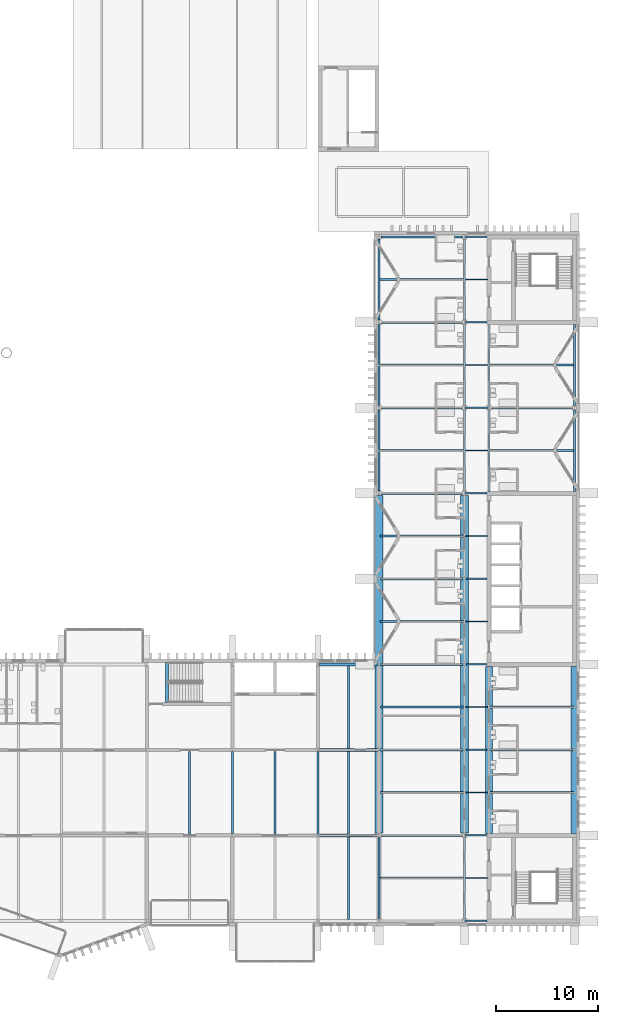
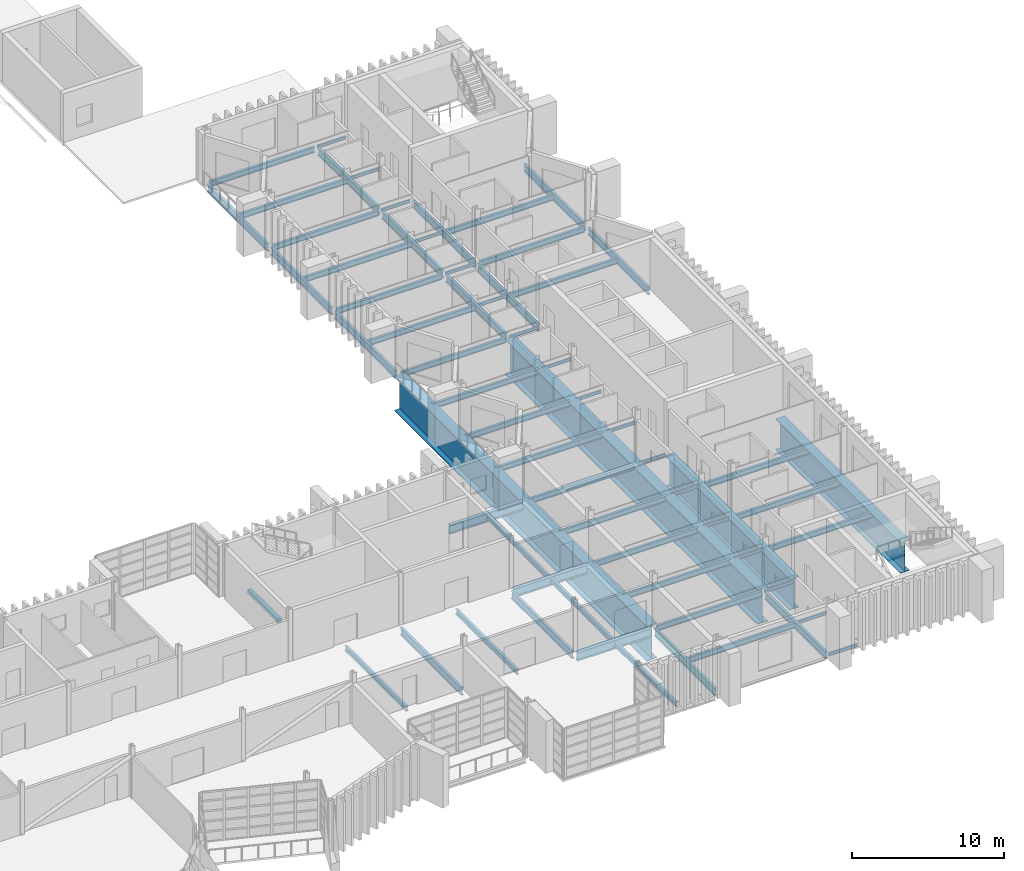
# One storey, part 41 of 100: 66 beams.
"""IFC4 building model written with IfcOpenShell, lengths in metres."""

from ifc_helpers import new_model, si_unit, direction, frame, origin, origin_2d, place, context, subcontext, project, spatial, rectangle, i_section, extrude, material, material_profile, profile_set, type_object, element, save


model = new_model("IFC4")

# Units and contexts
model_context = context("Model", 3, precision=1e-05, world=origin(), true_north=direction((0.0, 1.0)))
body_context = subcontext(model_context, "Body", "Model", "MODEL_VIEW")
ifc_project = project(units=[si_unit("LENGTHUNIT", "METRE"), si_unit("AREAUNIT", "SQUARE_METRE"), si_unit("VOLUMEUNIT", "CUBIC_METRE"), si_unit("PLANEANGLEUNIT", "RADIAN"), si_unit("MASSUNIT", "GRAM", prefix="KILO")], contexts=[model_context])

# Site, building, storey
site_placement = place(None, origin())
site = spatial("IfcSite", under=ifc_project, at=site_placement, CompositionType="ELEMENT")
building_placement = place(site_placement, origin())
building = spatial("IfcBuilding", under=site, at=building_placement, Name="Cresset Court Congress Hotel", CompositionType="ELEMENT")
storey_placement = place(building_placement, frame((0.0, 0.0, 10.199951171875)))
storey = spatial("IfcBuildingStorey", under=building, at=storey_placement, Name="L02", CompositionType="ELEMENT", Elevation=10.199951171875)

# Beams
ifc_material_1 = material(Name="Concrete C40", Category="concrete")
ifc_material_profile_1 = material_profile(ifc_material_1, rectangle(XDim=0.300048828125, YDim=0.300048828125, at=origin_2d()), Name="RC300x300")
ifc_profile_set_1 = profile_set([ifc_material_profile_1], Name="Concrete C40")
beam_type_1 = type_object("IfcBeamType", Name="Stair trimmer beam RC300x300", PredefinedType="BEAM", material=ifc_profile_set_1)
beam_1_placement = place(storey_placement, frame((136.35009765625, 21.449951171875, -0.300048828125), z_axis=(0.0, 1.0, 0.0), x_axis=(-1.0, 0.0, 0.0)))
element("IfcBeam", 1, at=beam_1_placement, inside=storey, type_object=beam_type_1, Name="Trimmer beam ST-B5 L02", PredefinedType="BEAM", context=body_context, shape_type="SweptSolid", body=[
    extrude(rectangle(XDim=0.300048828125, YDim=0.300048828125, at=origin_2d()), origin(), (0.0, 0.0, 1.0), 3.949951171875),
])
ifc_material_2 = material(Name="Structural steel Q355B", Category="steel")
ifc_material_profile_2 = material_profile(ifc_material_2, i_section(OverallWidth=0.198974609375, OverallDepth=0.446044921875, WebThickness=0.008056640625, FlangeThickness=0.011962890625, FilletRadius=0.012939453125, at=origin_2d()), Name="HN446x199x8x12")
ifc_profile_set_2 = profile_set([ifc_material_profile_2], Name="Structural steel Q355B")
beam_type_2 = type_object("IfcBeamType", Name="Steel beam HN446x199x8x12", PredefinedType="BEAM", material=ifc_profile_set_2)
beam_2_placement = place(storey_placement, frame((157.300048828125, 4.199951171875, -0.373046875), z_axis=(1.0, 0.0, 0.0), x_axis=(0.0, 1.0, 0.0)))
element("IfcBeam", 2, at=beam_2_placement, inside=storey, type_object=beam_type_2, Name="A.bm.L02.W.mid.0", PredefinedType="BEAM", context=body_context, shape_type="SweptSolid", body=[
    extrude(i_section(OverallWidth=0.198974609375, OverallDepth=0.446044921875, WebThickness=0.008056640625, FlangeThickness=0.011962890625, FilletRadius=0.012939453125, at=origin_2d()), origin(), (0.0, 0.0, 1.0), 8.199951171875),
])
beam_3_placement = place(storey_placement, frame((157.403564453125, 8.39990234375, -0.373046875), z_axis=(1.0, 0.0, 0.0), x_axis=(0.0, 1.0, 0.0)))
element("IfcBeam", 3, at=beam_3_placement, inside=storey, type_object=beam_type_2, Name="A.bm.L02.W.frame0.1", PredefinedType="BEAM", context=body_context, shape_type="SweptSolid", body=[
    extrude(i_section(OverallWidth=0.198974609375, OverallDepth=0.446044921875, WebThickness=0.008056640625, FlangeThickness=0.011962890625, FilletRadius=0.012939453125, at=origin_2d()), origin(), (0.0, 0.0, 1.0), 7.992919921875),
])
for number, where, z_axis, x_axis, name in (
    (4, (157.300048828125, 12.60009765625, -0.373046875), (1.0, 0.0, 0.0), (0.0, 1.0, 0.0), "A.bm.L02.W.mid.1"),
    (5, (168.10009765625, 12.60009765625, -0.373046875), (1.0, 0.0, 0.0), (0.0, 1.0, 0.0), "A.bm.L02.E.mid.1"),
):
    element("IfcBeam", number, at=place(storey_placement, frame(where, z_axis=z_axis, x_axis=x_axis)), inside=storey, type_object=beam_type_2, Name=name, PredefinedType="BEAM", context=body_context, shape_type="SweptSolid", body=[
        extrude(i_section(OverallWidth=0.198974609375, OverallDepth=0.446044921875, WebThickness=0.008056640625, FlangeThickness=0.011962890625, FilletRadius=0.012939453125, at=origin_2d()), origin(), (0.0, 0.0, 1.0), 8.199951171875),
    ])
for number, where, z_axis, x_axis, name in (
    (6, (157.403564453125, 16.800048828125, -0.373046875), (1.0, 0.0, 0.0), (0.0, 1.0, 0.0), "A.bm.L02.W.frame0.2"),
    (7, (168.20361328125, 16.800048828125, -0.373046875), (1.0, 0.0, 0.0), (0.0, 1.0, 0.0), "A.bm.L02.E.frame0.2"),
):
    element("IfcBeam", number, at=place(storey_placement, frame(where, z_axis=z_axis, x_axis=x_axis)), inside=storey, type_object=beam_type_2, Name=name, PredefinedType="BEAM", context=body_context, shape_type="SweptSolid", body=[
        extrude(i_section(OverallWidth=0.198974609375, OverallDepth=0.446044921875, WebThickness=0.008056640625, FlangeThickness=0.011962890625, FilletRadius=0.012939453125, at=origin_2d()), origin(), (0.0, 0.0, 1.0), 7.992919921875),
    ])
for number, where, z_axis, x_axis, name in (
    (8, (157.300048828125, 21.0, -0.373046875), (1.0, 0.0, 0.0), (0.0, 1.0, 0.0), "A.bm.L02.W.mid.2"),
    (9, (168.10009765625, 21.0, -0.373046875), (1.0, 0.0, 0.0), (0.0, 1.0, 0.0), "A.bm.L02.E.mid.2"),
):
    element("IfcBeam", number, at=place(storey_placement, frame(where, z_axis=z_axis, x_axis=x_axis)), inside=storey, type_object=beam_type_2, Name=name, PredefinedType="BEAM", context=body_context, shape_type="SweptSolid", body=[
        extrude(i_section(OverallWidth=0.198974609375, OverallDepth=0.446044921875, WebThickness=0.008056640625, FlangeThickness=0.011962890625, FilletRadius=0.012939453125, at=origin_2d()), origin(), (0.0, 0.0, 1.0), 8.199951171875),
    ])
beam_4_placement = place(storey_placement, frame((157.403564453125, 25.199951171875, -0.373046875), z_axis=(1.0, 0.0, 0.0), x_axis=(0.0, 1.0, 0.0)))
element("IfcBeam", 10, at=beam_4_placement, inside=storey, type_object=beam_type_2, Name="A.bm.L02.W.frame0.3", PredefinedType="BEAM", context=body_context, shape_type="SweptSolid", body=[
    extrude(i_section(OverallWidth=0.198974609375, OverallDepth=0.446044921875, WebThickness=0.008056640625, FlangeThickness=0.011962890625, FilletRadius=0.012939453125, at=origin_2d()), origin(), (0.0, 0.0, 1.0), 7.992919921875),
])
beam_5_placement = place(storey_placement, frame((157.300048828125, 29.39990234375, -0.373046875), z_axis=(1.0, 0.0, 0.0), x_axis=(0.0, 1.0, 0.0)))
element("IfcBeam", 11, at=beam_5_placement, inside=storey, type_object=beam_type_2, Name="A.bm.L02.W.mid.3", PredefinedType="BEAM", context=body_context, shape_type="SweptSolid", body=[
    extrude(i_section(OverallWidth=0.198974609375, OverallDepth=0.446044921875, WebThickness=0.008056640625, FlangeThickness=0.011962890625, FilletRadius=0.012939453125, at=origin_2d()), origin(), (0.0, 0.0, 1.0), 8.199951171875),
])
beam_6_placement = place(storey_placement, frame((157.403564453125, 33.60009765625, -0.373046875), z_axis=(1.0, 0.0, 0.0), x_axis=(0.0, 1.0, 0.0)))
element("IfcBeam", 12, at=beam_6_placement, inside=storey, type_object=beam_type_2, Name="A.bm.L02.W.frame0.4", PredefinedType="BEAM", context=body_context, shape_type="SweptSolid", body=[
    extrude(i_section(OverallWidth=0.198974609375, OverallDepth=0.446044921875, WebThickness=0.008056640625, FlangeThickness=0.011962890625, FilletRadius=0.012939453125, at=origin_2d()), origin(), (0.0, 0.0, 1.0), 7.992919921875),
])
beam_7_placement = place(storey_placement, frame((157.300048828125, 37.800048828125, -0.373046875), z_axis=(1.0, 0.0, 0.0), x_axis=(0.0, 1.0, 0.0)))
element("IfcBeam", 13, at=beam_7_placement, inside=storey, type_object=beam_type_2, Name="A.bm.L02.W.mid.4", PredefinedType="BEAM", context=body_context, shape_type="SweptSolid", body=[
    extrude(i_section(OverallWidth=0.198974609375, OverallDepth=0.446044921875, WebThickness=0.008056640625, FlangeThickness=0.011962890625, FilletRadius=0.012939453125, at=origin_2d()), origin(), (0.0, 0.0, 1.0), 8.199951171875),
])
beam_8_placement = place(storey_placement, frame((157.403564453125, 42.0, -0.373046875), z_axis=(1.0, 0.0, 0.0), x_axis=(0.0, 1.0, 0.0)))
element("IfcBeam", 14, at=beam_8_placement, inside=storey, type_object=beam_type_2, Name="A.bm.L02.W.frame0.5", PredefinedType="BEAM", context=body_context, shape_type="SweptSolid", body=[
    extrude(i_section(OverallWidth=0.198974609375, OverallDepth=0.446044921875, WebThickness=0.008056640625, FlangeThickness=0.011962890625, FilletRadius=0.012939453125, at=origin_2d()), origin(), (0.0, 0.0, 1.0), 7.992919921875),
])
for number, where, z_axis, x_axis, name in (
    (15, (157.300048828125, 46.199951171875, -0.373046875), (1.0, 0.0, 0.0), (0.0, 1.0, 0.0), "A.bm.L02.W.mid.5"),
    (16, (168.10009765625, 46.199951171875, -0.373046875), (1.0, 0.0, 0.0), (0.0, 1.0, 0.0), "A.bm.L02.E.mid.5"),
):
    element("IfcBeam", number, at=place(storey_placement, frame(where, z_axis=z_axis, x_axis=x_axis)), inside=storey, type_object=beam_type_2, Name=name, PredefinedType="BEAM", context=body_context, shape_type="SweptSolid", body=[
        extrude(i_section(OverallWidth=0.198974609375, OverallDepth=0.446044921875, WebThickness=0.008056640625, FlangeThickness=0.011962890625, FilletRadius=0.012939453125, at=origin_2d()), origin(), (0.0, 0.0, 1.0), 8.199951171875),
    ])
for number, where, z_axis, x_axis, name in (
    (17, (157.403564453125, 50.39990234375, -0.373046875), (1.0, 0.0, 0.0), (0.0, 1.0, 0.0), "A.bm.L02.W.frame0.6"),
    (18, (168.20361328125, 50.39990234375, -0.373046875), (1.0, 0.0, 0.0), (0.0, 1.0, 0.0), "A.bm.L02.E.frame0.6"),
):
    element("IfcBeam", number, at=place(storey_placement, frame(where, z_axis=z_axis, x_axis=x_axis)), inside=storey, type_object=beam_type_2, Name=name, PredefinedType="BEAM", context=body_context, shape_type="SweptSolid", body=[
        extrude(i_section(OverallWidth=0.198974609375, OverallDepth=0.446044921875, WebThickness=0.008056640625, FlangeThickness=0.011962890625, FilletRadius=0.012939453125, at=origin_2d()), origin(), (0.0, 0.0, 1.0), 7.992919921875),
    ])
for number, where, z_axis, x_axis, name in (
    (19, (157.300048828125, 54.60009765625, -0.373046875), (1.0, 0.0, 0.0), (0.0, 1.0, 0.0), "A.bm.L02.W.mid.6"),
    (20, (168.10009765625, 54.60009765625, -0.373046875), (1.0, 0.0, 0.0), (0.0, 1.0, 0.0), "A.bm.L02.E.mid.6"),
):
    element("IfcBeam", number, at=place(storey_placement, frame(where, z_axis=z_axis, x_axis=x_axis)), inside=storey, type_object=beam_type_2, Name=name, PredefinedType="BEAM", context=body_context, shape_type="SweptSolid", body=[
        extrude(i_section(OverallWidth=0.198974609375, OverallDepth=0.446044921875, WebThickness=0.008056640625, FlangeThickness=0.011962890625, FilletRadius=0.012939453125, at=origin_2d()), origin(), (0.0, 0.0, 1.0), 8.199951171875),
    ])
beam_9_placement = place(storey_placement, frame((157.403564453125, 58.800048828125, -0.373046875), z_axis=(1.0, 0.0, 0.0), x_axis=(0.0, 1.0, 0.0)))
element("IfcBeam", 21, at=beam_9_placement, inside=storey, type_object=beam_type_2, Name="A.bm.L02.W.frame0.7", PredefinedType="BEAM", context=body_context, shape_type="SweptSolid", body=[
    extrude(i_section(OverallWidth=0.198974609375, OverallDepth=0.446044921875, WebThickness=0.008056640625, FlangeThickness=0.011962890625, FilletRadius=0.012939453125, at=origin_2d()), origin(), (0.0, 0.0, 1.0), 7.992919921875),
])
beam_10_placement = place(storey_placement, frame((157.300048828125, 63.0, -0.373046875), z_axis=(1.0, 0.0, 0.0), x_axis=(0.0, 1.0, 0.0)))
element("IfcBeam", 22, at=beam_10_placement, inside=storey, type_object=beam_type_2, Name="A.bm.L02.W.mid.7", PredefinedType="BEAM", context=body_context, shape_type="SweptSolid", body=[
    extrude(i_section(OverallWidth=0.198974609375, OverallDepth=0.446044921875, WebThickness=0.008056640625, FlangeThickness=0.011962890625, FilletRadius=0.012939453125, at=origin_2d()), origin(), (0.0, 0.0, 1.0), 8.199951171875),
])
beam_11_placement = place(storey_placement, frame((157.403564453125, 67.199951171875, -0.373046875), z_axis=(1.0, 0.0, 0.0), x_axis=(0.0, 1.0, 0.0)))
element("IfcBeam", 23, at=beam_11_placement, inside=storey, type_object=beam_type_2, Name="A.bm.L02.W.frame1.7", PredefinedType="BEAM", context=body_context, shape_type="SweptSolid", body=[
    extrude(i_section(OverallWidth=0.198974609375, OverallDepth=0.446044921875, WebThickness=0.008056640625, FlangeThickness=0.011962890625, FilletRadius=0.012939453125, at=origin_2d()), origin(), (0.0, 0.0, 1.0), 7.992919921875),
])
ifc_material_3 = material(Name="Structural steel Q355B", Category="steel")
ifc_material_profile_3 = material_profile(ifc_material_3, i_section(OverallWidth=0.199951171875, OverallDepth=0.60009765625, WebThickness=0.010986328125, FlangeThickness=0.01708984375, FilletRadius=0.012939453125, at=origin_2d()), Name="HN600x200x11x17")
ifc_profile_set_3 = profile_set([ifc_material_profile_3], Name="Structural steel Q355B")
beam_type_3 = type_object("IfcBeamType", Name="Steel beam HN600x200x11x17", PredefinedType="BEAM", material=ifc_profile_set_3)
for number, where, z_axis, x_axis, name in (
    (24, (142.800048828125, 8.574951171875, -0.449951171875), (0.0, 1.0, 0.0), (-1.0, 0.0, 0.0), "B.by.L02.18B"),
    (25, (151.199951171875, 8.574951171875, -0.449951171875), (0.0, 1.0, 0.0), (-1.0, 0.0, 0.0), "B.by.L02.19B"),
):
    element("IfcBeam", number, at=place(storey_placement, frame(where, z_axis=z_axis, x_axis=x_axis)), inside=storey, type_object=beam_type_3, Name=name, PredefinedType="BEAM", context=body_context, shape_type="SweptSolid", body=[
        extrude(i_section(OverallWidth=0.199951171875, OverallDepth=0.60009765625, WebThickness=0.010986328125, FlangeThickness=0.01708984375, FilletRadius=0.012939453125, at=origin_2d()), origin(), (0.0, 0.0, 1.0), 8.050048828125),
    ])
ifc_material_4 = material(Name="Structural steel Q355B", Category="steel")
ifc_material_profile_4 = material_profile(ifc_material_4, i_section(OverallWidth=0.300048828125, OverallDepth=0.699951171875, WebThickness=0.012939453125, FlangeThickness=0.02392578125, FilletRadius=0.01806640625, at=origin_2d()), Name="HN700x300x13x24")
ifc_profile_set_4 = profile_set([ifc_material_profile_4], Name="Structural steel Q355B")
beam_type_4 = type_object("IfcBeamType", Name="Steel beam HN700x300x13x24", PredefinedType="BEAM", material=ifc_profile_set_4)
for number, where, z_axis, x_axis, name in (
    (26, (151.375, 8.39990234375, -0.5), (1.0, 0.0, 0.0), (0.0, 1.0, 0.0), "B.bx.L02.B19"),
    (27, (151.375, 16.800048828125, -0.5), (1.0, 0.0, 0.0), (0.0, 1.0, 0.0), "B.bx.L02.C19"),
    (28, (151.375, 25.199951171875, -0.5), (1.0, 0.0, 0.0), (0.0, 1.0, 0.0), "B.bx.L02.D19"),
):
    element("IfcBeam", number, at=place(storey_placement, frame(where, z_axis=z_axis, x_axis=x_axis)), inside=storey, type_object=beam_type_4, Name=name, PredefinedType="BEAM", context=body_context, shape_type="SweptSolid", body=[
        extrude(i_section(OverallWidth=0.300048828125, OverallDepth=0.699951171875, WebThickness=0.012939453125, FlangeThickness=0.02392578125, FilletRadius=0.01806640625, at=origin_2d()), origin(), (0.0, 0.0, 1.0), 5.625),
    ])
ifc_material_5 = material(Name="Structural steel Q355B", Category="steel")
ifc_material_profile_5 = material_profile(ifc_material_5, i_section(OverallWidth=0.125, OverallDepth=0.25, WebThickness=0.006103515625, FlangeThickness=0.009033203125, FilletRadius=0.012939453125, at=origin_2d()), Name="HN250x125x6x9")
ifc_profile_set_5 = profile_set([ifc_material_profile_5], Name="Structural steel Q355B")
beam_type_5 = type_object("IfcBeamType", Name="Steel corridor beam HN250x125x6x9", PredefinedType="BEAM", material=ifc_profile_set_5)
beam_12_placement = place(storey_placement, frame((165.610107421875, 0.0, -0.27490234375), z_axis=(1.0, 0.0, 0.0), x_axis=(0.0, 1.0, 0.0)))
element("IfcBeam", 29, at=beam_12_placement, inside=storey, type_object=beam_type_5, Name="A.bm.L02.C.frame0.0", PredefinedType="BEAM", context=body_context, shape_type="SweptSolid", body=[
    extrude(i_section(OverallWidth=0.125, OverallDepth=0.25, WebThickness=0.006103515625, FlangeThickness=0.009033203125, FilletRadius=0.012939453125, at=origin_2d()), origin(), (0.0, 0.0, 1.0), 2.18994140625),
])
beam_13_placement = place(storey_placement, frame((165.699951171875, 4.199951171875, -0.27490234375), z_axis=(1.0, 0.0, 0.0), x_axis=(0.0, 1.0, 0.0)))
element("IfcBeam", 30, at=beam_13_placement, inside=storey, type_object=beam_type_5, Name="A.bm.L02.C.mid.0", PredefinedType="BEAM", context=body_context, shape_type="SweptSolid", body=[
    extrude(i_section(OverallWidth=0.125, OverallDepth=0.25, WebThickness=0.006103515625, FlangeThickness=0.009033203125, FilletRadius=0.012939453125, at=origin_2d()), origin(), (0.0, 0.0, 1.0), 2.199951171875),
])
beam_14_placement = place(storey_placement, frame((165.610107421875, 8.39990234375, -0.27490234375), z_axis=(1.0, 0.0, 0.0), x_axis=(0.0, 1.0, 0.0)))
element("IfcBeam", 31, at=beam_14_placement, inside=storey, type_object=beam_type_5, Name="A.bm.L02.C.frame0.1", PredefinedType="BEAM", context=body_context, shape_type="SweptSolid", body=[
    extrude(i_section(OverallWidth=0.125, OverallDepth=0.25, WebThickness=0.006103515625, FlangeThickness=0.009033203125, FilletRadius=0.012939453125, at=origin_2d()), origin(), (0.0, 0.0, 1.0), 2.18994140625),
])
beam_15_placement = place(storey_placement, frame((165.699951171875, 12.60009765625, -0.27490234375), z_axis=(1.0, 0.0, 0.0), x_axis=(0.0, 1.0, 0.0)))
element("IfcBeam", 32, at=beam_15_placement, inside=storey, type_object=beam_type_5, Name="A.bm.L02.C.mid.1", PredefinedType="BEAM", context=body_context, shape_type="SweptSolid", body=[
    extrude(i_section(OverallWidth=0.125, OverallDepth=0.25, WebThickness=0.006103515625, FlangeThickness=0.009033203125, FilletRadius=0.012939453125, at=origin_2d()), origin(), (0.0, 0.0, 1.0), 2.199951171875),
])
beam_16_placement = place(storey_placement, frame((165.803466796875, 16.800048828125, -0.27490234375), z_axis=(1.0, 0.0, 0.0), x_axis=(0.0, 1.0, 0.0)))
element("IfcBeam", 33, at=beam_16_placement, inside=storey, type_object=beam_type_5, Name="A.bm.L02.C.frame0.2", PredefinedType="BEAM", context=body_context, shape_type="SweptSolid", body=[
    extrude(i_section(OverallWidth=0.125, OverallDepth=0.25, WebThickness=0.006103515625, FlangeThickness=0.009033203125, FilletRadius=0.012939453125, at=origin_2d()), origin(), (0.0, 0.0, 1.0), 1.992919921875),
])
beam_17_placement = place(storey_placement, frame((165.699951171875, 21.0, -0.27490234375), z_axis=(1.0, 0.0, 0.0), x_axis=(0.0, 1.0, 0.0)))
element("IfcBeam", 34, at=beam_17_placement, inside=storey, type_object=beam_type_5, Name="A.bm.L02.C.mid.2", PredefinedType="BEAM", context=body_context, shape_type="SweptSolid", body=[
    extrude(i_section(OverallWidth=0.125, OverallDepth=0.25, WebThickness=0.006103515625, FlangeThickness=0.009033203125, FilletRadius=0.012939453125, at=origin_2d()), origin(), (0.0, 0.0, 1.0), 2.199951171875),
])
beam_18_placement = place(storey_placement, frame((165.803466796875, 25.199951171875, -0.27490234375), z_axis=(1.0, 0.0, 0.0), x_axis=(0.0, 1.0, 0.0)))
element("IfcBeam", 35, at=beam_18_placement, inside=storey, type_object=beam_type_5, Name="A.bm.L02.C.frame0.3", PredefinedType="BEAM", context=body_context, shape_type="SweptSolid", body=[
    extrude(i_section(OverallWidth=0.125, OverallDepth=0.25, WebThickness=0.006103515625, FlangeThickness=0.009033203125, FilletRadius=0.012939453125, at=origin_2d()), origin(), (0.0, 0.0, 1.0), 1.99658203125),
])
beam_19_placement = place(storey_placement, frame((165.699951171875, 29.39990234375, -0.27490234375), z_axis=(1.0, 0.0, 0.0), x_axis=(0.0, 1.0, 0.0)))
element("IfcBeam", 36, at=beam_19_placement, inside=storey, type_object=beam_type_5, Name="A.bm.L02.C.mid.3", PredefinedType="BEAM", context=body_context, shape_type="SweptSolid", body=[
    extrude(i_section(OverallWidth=0.125, OverallDepth=0.25, WebThickness=0.006103515625, FlangeThickness=0.009033203125, FilletRadius=0.012939453125, at=origin_2d()), origin(), (0.0, 0.0, 1.0), 2.199951171875),
])
beam_20_placement = place(storey_placement, frame((165.803466796875, 33.60009765625, -0.27490234375), z_axis=(1.0, 0.0, 0.0), x_axis=(0.0, 1.0, 0.0)))
element("IfcBeam", 37, at=beam_20_placement, inside=storey, type_object=beam_type_5, Name="A.bm.L02.C.frame0.4", PredefinedType="BEAM", context=body_context, shape_type="SweptSolid", body=[
    extrude(i_section(OverallWidth=0.125, OverallDepth=0.25, WebThickness=0.006103515625, FlangeThickness=0.009033203125, FilletRadius=0.012939453125, at=origin_2d()), origin(), (0.0, 0.0, 1.0), 1.99658203125),
])
beam_21_placement = place(storey_placement, frame((165.699951171875, 37.800048828125, -0.27490234375), z_axis=(1.0, 0.0, 0.0), x_axis=(0.0, 1.0, 0.0)))
element("IfcBeam", 38, at=beam_21_placement, inside=storey, type_object=beam_type_5, Name="A.bm.L02.C.mid.4", PredefinedType="BEAM", context=body_context, shape_type="SweptSolid", body=[
    extrude(i_section(OverallWidth=0.125, OverallDepth=0.25, WebThickness=0.006103515625, FlangeThickness=0.009033203125, FilletRadius=0.012939453125, at=origin_2d()), origin(), (0.0, 0.0, 1.0), 2.199951171875),
])
beam_22_placement = place(storey_placement, frame((165.610107421875, 42.0, -0.27490234375), z_axis=(1.0, 0.0, 0.0), x_axis=(0.0, 1.0, 0.0)))
element("IfcBeam", 39, at=beam_22_placement, inside=storey, type_object=beam_type_5, Name="A.bm.L02.C.frame0.5", PredefinedType="BEAM", context=body_context, shape_type="SweptSolid", body=[
    extrude(i_section(OverallWidth=0.125, OverallDepth=0.25, WebThickness=0.006103515625, FlangeThickness=0.009033203125, FilletRadius=0.012939453125, at=origin_2d()), origin(), (0.0, 0.0, 1.0), 2.18994140625),
])
beam_23_placement = place(storey_placement, frame((165.699951171875, 46.199951171875, -0.27490234375), z_axis=(1.0, 0.0, 0.0), x_axis=(0.0, 1.0, 0.0)))
element("IfcBeam", 40, at=beam_23_placement, inside=storey, type_object=beam_type_5, Name="A.bm.L02.C.mid.5", PredefinedType="BEAM", context=body_context, shape_type="SweptSolid", body=[
    extrude(i_section(OverallWidth=0.125, OverallDepth=0.25, WebThickness=0.006103515625, FlangeThickness=0.009033203125, FilletRadius=0.012939453125, at=origin_2d()), origin(), (0.0, 0.0, 1.0), 2.199951171875),
])
beam_24_placement = place(storey_placement, frame((165.610107421875, 50.39990234375, -0.27490234375), z_axis=(1.0, 0.0, 0.0), x_axis=(0.0, 1.0, 0.0)))
element("IfcBeam", 41, at=beam_24_placement, inside=storey, type_object=beam_type_5, Name="A.bm.L02.C.frame0.6", PredefinedType="BEAM", context=body_context, shape_type="SweptSolid", body=[
    extrude(i_section(OverallWidth=0.125, OverallDepth=0.25, WebThickness=0.006103515625, FlangeThickness=0.009033203125, FilletRadius=0.012939453125, at=origin_2d()), origin(), (0.0, 0.0, 1.0), 2.3798828125),
])
beam_25_placement = place(storey_placement, frame((165.699951171875, 54.60009765625, -0.27490234375), z_axis=(1.0, 0.0, 0.0), x_axis=(0.0, 1.0, 0.0)))
element("IfcBeam", 42, at=beam_25_placement, inside=storey, type_object=beam_type_5, Name="A.bm.L02.C.mid.6", PredefinedType="BEAM", context=body_context, shape_type="SweptSolid", body=[
    extrude(i_section(OverallWidth=0.125, OverallDepth=0.25, WebThickness=0.006103515625, FlangeThickness=0.009033203125, FilletRadius=0.012939453125, at=origin_2d()), origin(), (0.0, 0.0, 1.0), 2.199951171875),
])
beam_26_placement = place(storey_placement, frame((165.610107421875, 58.800048828125, -0.27490234375), z_axis=(1.0, 0.0, 0.0), x_axis=(0.0, 1.0, 0.0)))
element("IfcBeam", 43, at=beam_26_placement, inside=storey, type_object=beam_type_5, Name="A.bm.L02.C.frame0.7", PredefinedType="BEAM", context=body_context, shape_type="SweptSolid", body=[
    extrude(i_section(OverallWidth=0.125, OverallDepth=0.25, WebThickness=0.006103515625, FlangeThickness=0.009033203125, FilletRadius=0.012939453125, at=origin_2d()), origin(), (0.0, 0.0, 1.0), 2.18994140625),
])
beam_27_placement = place(storey_placement, frame((165.699951171875, 63.0, -0.27490234375), z_axis=(1.0, 0.0, 0.0), x_axis=(0.0, 1.0, 0.0)))
element("IfcBeam", 44, at=beam_27_placement, inside=storey, type_object=beam_type_5, Name="A.bm.L02.C.mid.7", PredefinedType="BEAM", context=body_context, shape_type="SweptSolid", body=[
    extrude(i_section(OverallWidth=0.125, OverallDepth=0.25, WebThickness=0.006103515625, FlangeThickness=0.009033203125, FilletRadius=0.012939453125, at=origin_2d()), origin(), (0.0, 0.0, 1.0), 2.199951171875),
])
beam_28_placement = place(storey_placement, frame((165.610107421875, 67.199951171875, -0.27490234375), z_axis=(1.0, 0.0, 0.0), x_axis=(0.0, 1.0, 0.0)))
element("IfcBeam", 45, at=beam_28_placement, inside=storey, type_object=beam_type_5, Name="A.bm.L02.C.frame1.7", PredefinedType="BEAM", context=body_context, shape_type="SweptSolid", body=[
    extrude(i_section(OverallWidth=0.125, OverallDepth=0.25, WebThickness=0.006103515625, FlangeThickness=0.009033203125, FilletRadius=0.012939453125, at=origin_2d()), origin(), (0.0, 0.0, 1.0), 2.18994140625),
])
ifc_material_6 = material(Name="Structural steel Q355B", Category="steel")
ifc_material_profile_6 = material_profile(ifc_material_6, i_section(OverallWidth=0.199951171875, OverallDepth=0.60009765625, WebThickness=0.010986328125, FlangeThickness=0.01708984375, FilletRadius=0.012939453125, at=origin_2d()), Name="HN600x200x11x17")
ifc_profile_set_6 = profile_set([ifc_material_profile_6], Name="Structural steel Q355B")
beam_type_6 = type_object("IfcBeamType", Name="Steel girder HN600x200x11x17", PredefinedType="BEAM", material=ifc_profile_set_6)
for number, where, z_axis, x_axis, name in (
    (46, (157.199951171875, 0.214111328125, -0.449951171875), (0.0, 1.0, 0.0), (-1.0, 0.0, 0.0), "A.gir.L02.0.0"),
    (47, (157.199951171875, 42.214111328125, -0.449951171875), (0.0, 1.0, 0.0), (-1.0, 0.0, 0.0), "A.gir.L02.0.5"),
    (48, (157.199951171875, 50.614013671875, -0.449951171875), (0.0, 1.0, 0.0), (-1.0, 0.0, 0.0), "A.gir.L02.0.6"),
):
    element("IfcBeam", number, at=place(storey_placement, frame(where, z_axis=z_axis, x_axis=x_axis)), inside=storey, type_object=beam_type_6, Name=name, PredefinedType="BEAM", context=body_context, shape_type="SweptSolid", body=[
        extrude(i_section(OverallWidth=0.199951171875, OverallDepth=0.60009765625, WebThickness=0.010986328125, FlangeThickness=0.01708984375, FilletRadius=0.012939453125, at=origin_2d()), origin(), (0.0, 0.0, 1.0), 7.971923828125),
    ])
beam_29_placement = place(storey_placement, frame((157.199951171875, 59.013916015625, -0.449951171875), z_axis=(0.0, 1.0, 0.0), x_axis=(-1.0, 0.0, 0.0)))
element("IfcBeam", 49, at=beam_29_placement, inside=storey, type_object=beam_type_6, Name="A.gir.L02.0.7", PredefinedType="BEAM", context=body_context, shape_type="SweptSolid", body=[
    extrude(i_section(OverallWidth=0.199951171875, OverallDepth=0.60009765625, WebThickness=0.010986328125, FlangeThickness=0.01708984375, FilletRadius=0.012939453125, at=origin_2d()), origin(), (0.0, 0.0, 1.0), 7.97216796875),
])
for number, where, z_axis, x_axis, name in (
    (50, (165.60009765625, 0.214111328125, -0.449951171875), (0.0, 1.0, 0.0), (-1.0, 0.0, 0.0), "A.gir.L02.1.0"),
    (51, (165.60009765625, 42.214111328125, -0.449951171875), (0.0, 1.0, 0.0), (-1.0, 0.0, 0.0), "A.gir.L02.1.5"),
    (52, (165.60009765625, 50.614013671875, -0.449951171875), (0.0, 1.0, 0.0), (-1.0, 0.0, 0.0), "A.gir.L02.1.6"),
):
    element("IfcBeam", number, at=place(storey_placement, frame(where, z_axis=z_axis, x_axis=x_axis)), inside=storey, type_object=beam_type_6, Name=name, PredefinedType="BEAM", context=body_context, shape_type="SweptSolid", body=[
        extrude(i_section(OverallWidth=0.199951171875, OverallDepth=0.60009765625, WebThickness=0.010986328125, FlangeThickness=0.01708984375, FilletRadius=0.012939453125, at=origin_2d()), origin(), (0.0, 0.0, 1.0), 7.971923828125),
    ])
beam_30_placement = place(storey_placement, frame((165.60009765625, 59.013916015625, -0.449951171875), z_axis=(0.0, 1.0, 0.0), x_axis=(-1.0, 0.0, 0.0)))
element("IfcBeam", 53, at=beam_30_placement, inside=storey, type_object=beam_type_6, Name="A.gir.L02.1.7", PredefinedType="BEAM", context=body_context, shape_type="SweptSolid", body=[
    extrude(i_section(OverallWidth=0.199951171875, OverallDepth=0.60009765625, WebThickness=0.010986328125, FlangeThickness=0.01708984375, FilletRadius=0.012939453125, at=origin_2d()), origin(), (0.0, 0.0, 1.0), 7.97216796875),
])
for number, where, z_axis, x_axis, name in (
    (54, (168.0, 42.199951171875, -0.449951171875), (0.0, 1.0, 0.0), (-1.0, 0.0, 0.0), "A.gir.L02.2.5"),
    (55, (168.0, 50.614013671875, -0.449951171875), (0.0, 1.0, 0.0), (-1.0, 0.0, 0.0), "A.gir.L02.2.6"),
    (56, (176.39990234375, 42.199951171875, -0.449951171875), (0.0, 1.0, 0.0), (-1.0, 0.0, 0.0), "A.gir.L02.3.5"),
    (57, (176.39990234375, 50.614013671875, -0.449951171875), (0.0, 1.0, 0.0), (-1.0, 0.0, 0.0), "A.gir.L02.3.6"),
):
    element("IfcBeam", number, at=place(storey_placement, frame(where, z_axis=z_axis, x_axis=x_axis)), inside=storey, type_object=beam_type_6, Name=name, PredefinedType="BEAM", context=body_context, shape_type="SweptSolid", body=[
        extrude(i_section(OverallWidth=0.199951171875, OverallDepth=0.60009765625, WebThickness=0.010986328125, FlangeThickness=0.01708984375, FilletRadius=0.012939453125, at=origin_2d()), origin(), (0.0, 0.0, 1.0), 7.986083984375),
    ])
ifc_material_7 = material(Name="Structural steel Q355B", Category="steel")
ifc_material_profile_7 = material_profile(ifc_material_7, i_section(OverallWidth=0.199951171875, OverallDepth=0.39990234375, WebThickness=0.008056640625, FlangeThickness=0.012939453125, FilletRadius=0.01611328125, at=origin_2d()), Name="HN400x200x8x13")
ifc_profile_set_7 = profile_set([ifc_material_profile_7], Name="Structural steel Q355B")
beam_type_7 = type_object("IfcBeamType", Name="Steel joist HN400x200x8x13", PredefinedType="JOIST", material=ifc_profile_set_7)
for number, where, z_axis, x_axis, name in (
    (58, (138.60009765625, 8.550048828125, -0.349853515625), (0.0, 1.0, 0.0), (-1.0, 0.0, 0.0), "B.bj.L02.17B"),
    (59, (147.0, 8.550048828125, -0.349853515625), (0.0, 1.0, 0.0), (-1.0, 0.0, 0.0), "B.bj.L02.18B"),
):
    element("IfcBeam", number, at=place(storey_placement, frame(where, z_axis=z_axis, x_axis=x_axis)), inside=storey, type_object=beam_type_7, Name=name, PredefinedType="JOIST", context=body_context, shape_type="SweptSolid", body=[
        extrude(i_section(OverallWidth=0.199951171875, OverallDepth=0.39990234375, WebThickness=0.008056640625, FlangeThickness=0.012939453125, FilletRadius=0.01611328125, at=origin_2d()), origin(), (0.0, 0.0, 1.0), 8.099853515625),
    ])
beam_31_placement = place(storey_placement, frame((154.199951171875, 0.14990234375, -0.349853515625), z_axis=(0.0, 1.0, 0.0), x_axis=(-1.0, 0.0, 0.0)))
element("IfcBeam", 60, at=beam_31_placement, inside=storey, type_object=beam_type_7, Name="B.bj.L02.19A", PredefinedType="JOIST", context=body_context, shape_type="SweptSolid", body=[
    extrude(i_section(OverallWidth=0.199951171875, OverallDepth=0.39990234375, WebThickness=0.008056640625, FlangeThickness=0.012939453125, FilletRadius=0.01611328125, at=origin_2d()), origin(), (0.0, 0.0, 1.0), 8.10009765625),
])
beam_32_placement = place(storey_placement, frame((154.199951171875, 8.550048828125, -0.349853515625), z_axis=(0.0, 1.0, 0.0), x_axis=(-1.0, 0.0, 0.0)))
element("IfcBeam", 61, at=beam_32_placement, inside=storey, type_object=beam_type_7, Name="B.bj.L02.19B", PredefinedType="JOIST", context=body_context, shape_type="SweptSolid", body=[
    extrude(i_section(OverallWidth=0.199951171875, OverallDepth=0.39990234375, WebThickness=0.008056640625, FlangeThickness=0.012939453125, FilletRadius=0.01611328125, at=origin_2d()), origin(), (0.0, 0.0, 1.0), 8.099853515625),
])
beam_33_placement = place(storey_placement, frame((154.199951171875, 16.949951171875, -0.349853515625), z_axis=(0.0, 1.0, 0.0), x_axis=(-1.0, 0.0, 0.0)))
element("IfcBeam", 62, at=beam_33_placement, inside=storey, type_object=beam_type_7, Name="B.bj.L02.19C", PredefinedType="JOIST", context=body_context, shape_type="SweptSolid", body=[
    extrude(i_section(OverallWidth=0.199951171875, OverallDepth=0.39990234375, WebThickness=0.008056640625, FlangeThickness=0.012939453125, FilletRadius=0.01611328125, at=origin_2d()), origin(), (0.0, 0.0, 1.0), 8.10009765625),
])
ifc_material_8 = material(Name="Structural steel Q355B", Category="steel")
ifc_material_profile_8 = material_profile(ifc_material_8, i_section(OverallWidth=0.699951171875, OverallDepth=2.5, WebThickness=0.028076171875, FlangeThickness=0.050048828125, at=origin_2d()), Name="WH2400x700x28x50")
ifc_profile_set_8 = profile_set([ifc_material_profile_8], Name="Structural steel Q355B")
beam_type_8 = type_object("IfcBeamType", Name="Transfer girder WH2400x700x28x50", PredefinedType="BEAM", material=ifc_profile_set_8)
for number, where, z_axis, x_axis, name in (
    (63, (168.0, 8.60009765625, -1.39990234375), (0.0, 1.0, 0.0), (-1.0, 0.0, 0.0), "Transfer girder TG2-1"),
    (64, (176.39990234375, 8.60009765625, -1.39990234375), (0.0, 1.0, 0.0), (-1.0, 0.0, 0.0), "Transfer girder TG2-2"),
):
    element("IfcBeam", number, at=place(storey_placement, frame(where, z_axis=z_axis, x_axis=x_axis)), inside=storey, type_object=beam_type_8, Name=name, PredefinedType="BEAM", context=body_context, shape_type="SweptSolid", body=[
        extrude(i_section(OverallWidth=0.699951171875, OverallDepth=2.5, WebThickness=0.028076171875, FlangeThickness=0.050048828125, at=origin_2d()), origin(), (0.0, 0.0, 1.0), 16.39990234375),
    ])
ifc_material_9 = material(Name="Structural steel Q355B", Category="steel")
ifc_material_profile_9 = material_profile(ifc_material_9, i_section(OverallWidth=0.800048828125, OverallDepth=2.81005859375, WebThickness=0.030029296875, FlangeThickness=0.054931640625, at=origin_2d()), Name="WH2700x800x30x55")
ifc_profile_set_9 = profile_set([ifc_material_profile_9], Name="Structural steel Q355B")
beam_type_9 = type_object("IfcBeamType", Name="Transfer girder WH2700x800x30x55", PredefinedType="BEAM", material=ifc_profile_set_9)
for number, where, z_axis, x_axis, name in (
    (65, (157.199951171875, 8.614013671875, -1.554931640625), (0.0, 1.0, 0.0), (-1.0, 0.0, 0.0), "Transfer girder TG1-1"),
    (66, (165.60009765625, 8.614013671875, -1.554931640625), (0.0, 1.0, 0.0), (-1.0, 0.0, 0.0), "Transfer girder TG1-2"),
):
    element("IfcBeam", number, at=place(storey_placement, frame(where, z_axis=z_axis, x_axis=x_axis)), inside=storey, type_object=beam_type_9, Name=name, PredefinedType="BEAM", context=body_context, shape_type="SweptSolid", body=[
        extrude(i_section(OverallWidth=0.800048828125, OverallDepth=2.81005859375, WebThickness=0.030029296875, FlangeThickness=0.054931640625, at=origin_2d()), origin(), (0.0, 0.0, 1.0), 33.171875),
    ])

save(model, "model.ifc")
